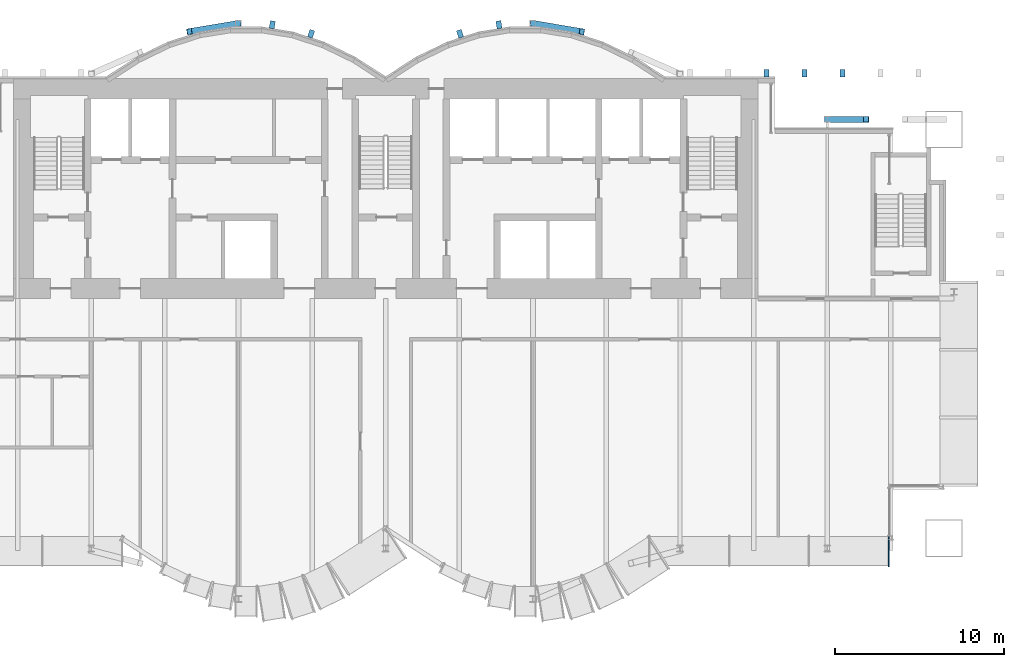
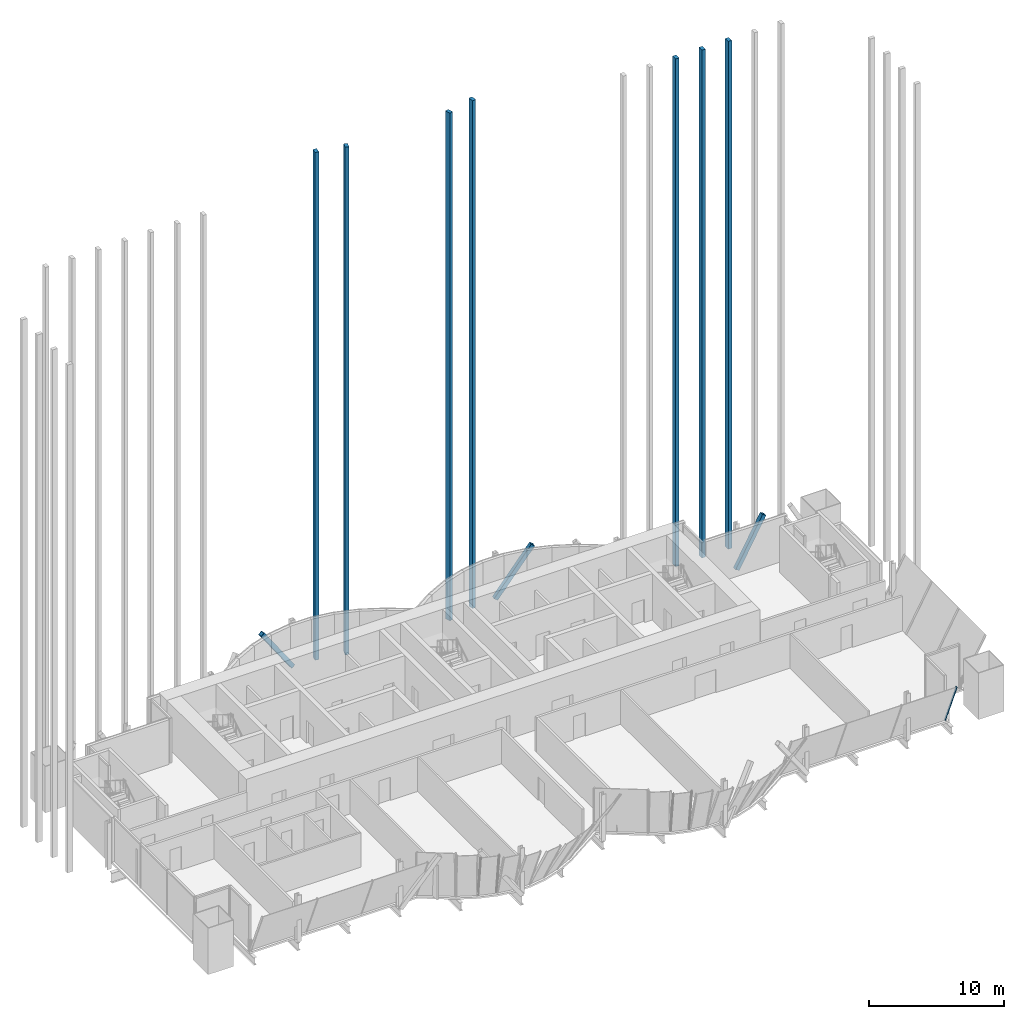
# One storey, part 18 of 28: 11 members, 6 elements without a shape of their own.
"""IFC4 building model written with IfcOpenShell, lengths in metres."""

from ifc_helpers import new_model, si_unit, direction, frame, origin, origin_2d, place, context, subcontext, project, spatial, rectangle, hollow_rectangle, extrude, material, material_profile, profile_set, type_object, element, aggregate, save


model = new_model("IFC4")

# Units and contexts
model_context = context("Model", 3, precision=1e-05, world=origin(), true_north=direction((0.0, 1.0)))
body_context = subcontext(model_context, "Body", "Model", "MODEL_VIEW")
ifc_project = project(units=[si_unit("LENGTHUNIT", "METRE"), si_unit("AREAUNIT", "SQUARE_METRE"), si_unit("VOLUMEUNIT", "CUBIC_METRE"), si_unit("PLANEANGLEUNIT", "RADIAN"), si_unit("MASSUNIT", "GRAM", prefix="KILO")], contexts=[model_context])

# Site, building, storey
site_placement = place(None, origin())
site = spatial("IfcSite", under=ifc_project, at=site_placement, CompositionType="ELEMENT")
building_placement = place(site_placement, origin())
building = spatial("IfcBuilding", under=site, at=building_placement, Name="Bicima Exchange Tower", CompositionType="ELEMENT")
storey_placement = place(building_placement, frame((0.0, 0.0, 241.39990234375)))
storey = spatial("IfcBuildingStorey", under=building, at=storey_placement, Name="L54", CompositionType="ELEMENT", Elevation=241.39990234375)

# Curtain wall, member
ifc_material_1 = material(Name="Anodised bronze aluminium", Category="aluminium")
curtain_wall_type_1 = type_object("IfcCurtainWallType", Name="Front glass wall", PredefinedType="NOTDEFINED", material=ifc_material_1)
curtain_wall_1_placement = place(storey_placement, origin())
curtain_wall_1 = element("IfcCurtainWall", 1, at=curtain_wall_1_placement, inside=storey, type_object=curtain_wall_type_1, Name="Canted glass wall L54 54.1", PredefinedType="NOTDEFINED")
ifc_material_profile_1 = material_profile(ifc_material_1, rectangle(XDim=0.159912109375, YDim=0.06005859375, at=origin_2d()))
ifc_profile_set_1 = profile_set([ifc_material_profile_1], Name="Anodised bronze aluminium")
member_type_1 = type_object("IfcMemberType", Name="Front glass wall mullion 60 x 160", PredefinedType="MULLION", material=ifc_profile_set_1)
member_1_placement = place(storey_placement, frame((29.739990234375, -27.05810546875, 0.0), z_axis=(0.0, -0.392533741736, 0.919737604754), x_axis=(0.0, 0.919737604754, 0.392533741736)))
member_1 = element("IfcMember", 2, at=member_1_placement, type_object=member_type_1, Name="Canted glass mullion 4", PredefinedType="MULLION", context=body_context, shape_type="SweptSolid", body=[
    extrude(rectangle(XDim=0.159912109375, YDim=0.06005859375, at=origin_2d()), origin(), (0.0, 0.0, 1.0), 4.403564453125),
])
aggregate(curtain_wall_1, [member_1])

# Members
ifc_material_2 = material(Name="Steel ASTM A572 Gr 50", Category="steel")
ifc_material_profile_2 = material_profile(ifc_material_2, hollow_rectangle(XDim=0.355712890625, YDim=0.355712890625, WallThickness=0.0146484375, at=origin_2d()))
ifc_profile_set_2 = profile_set([ifc_material_profile_2], Name="Steel ASTM A572 Gr 50")
member_type_2 = type_object("IfcMemberType", Name="Mega brace HSS14x14x5/8", PredefinedType="BRACE", material=ifc_profile_set_2)
for number, where, z_axis, x_axis, name in (
    (3, (-8.699951171875, 3.26904296875, 0.0), (-0.565635655676, -0.094756709723, 0.819193182949), (0.165220206918, -0.9862567025, 0.0), "Mega brace rexo"),
    (4, (8.699951171875, 3.26904296875, 0.0), (0.565635655676, -0.094756709723, 0.819193182949), (0.165220206918, 0.9862567025, 0.0), "Mega brace rexo"),
):
    element("IfcMember", number, at=place(storey_placement, frame(where, z_axis=z_axis, x_axis=x_axis)), inside=storey, type_object=member_type_2, Name=name, PredefinedType="BRACE", context=body_context, shape_type="SweptSolid", body=[
        extrude(hollow_rectangle(XDim=0.355712890625, YDim=0.355712890625, WallThickness=0.0146484375, at=origin_2d()), origin(), (0.0, 0.0, 1.0), 5.127197265625),
    ])
member_2_placement = place(storey_placement, frame((26.10009765625, -2.39990234375, 0.0), z_axis=(0.480266062029, 0.0, 0.877122858933), x_axis=(0.0, 1.0, 0.0)))
element("IfcMember", 5, at=member_2_placement, inside=storey, type_object=member_type_2, Name="Mega brace rear", PredefinedType="BRACE", context=body_context, shape_type="SweptSolid", body=[
    extrude(hollow_rectangle(XDim=0.355712890625, YDim=0.355712890625, WallThickness=0.0146484375, at=origin_2d()), origin(), (0.0, 0.0, 1.0), 4.78857421875),
])

# Curtain wall, member
curtain_wall_type_2 = type_object("IfcCurtainWallType", Name="Rear blade screen", PredefinedType="NOTDEFINED", material=ifc_material_1)
curtain_wall_2_placement = place(storey_placement, origin())
curtain_wall_2 = element("IfcCurtainWall", 6, at=curtain_wall_2_placement, inside=storey, type_object=curtain_wall_type_2, Name="Rear blade screen L54-L64 bay", PredefinedType="NOTDEFINED")
ifc_material_profile_3 = material_profile(ifc_material_1, rectangle(XDim=0.449951171875, YDim=0.300048828125, at=origin_2d()))
ifc_profile_set_3 = profile_set([ifc_material_profile_3], Name="Anodised bronze aluminium")
member_type_3 = type_object("IfcMemberType", Name="Rear blade fin 450 x 300", PredefinedType="USERDEFINED", material=ifc_profile_set_3)
member_3_placement = place(storey_placement, frame((-6.697998046875, 3.189697265625, 0.0), z_axis=(0.0, 0.0, 1.0), x_axis=(0.159548663212, 0.987190064814, 0.0)))
member_3 = element("IfcMember", 7, at=member_3_placement, type_object=member_type_3, Name="Rear blade fin L54-L64 9", ObjectType="FIN", PredefinedType="USERDEFINED", context=body_context, shape_type="SweptSolid", body=[
    extrude(rectangle(XDim=0.449951171875, YDim=0.300048828125, at=origin_2d()), origin(), (0.0, 0.0, 1.0), 46.0),
])
aggregate(curtain_wall_2, [member_3])

curtain_wall_3_placement = place(storey_placement, origin())
curtain_wall_3 = element("IfcCurtainWall", 8, at=curtain_wall_3_placement, inside=storey, type_object=curtain_wall_type_2, Name="Rear blade screen L54-L64 bay", PredefinedType="NOTDEFINED")
member_4_placement = place(storey_placement, frame((-4.39990234375, 2.652587890625, 0.0), z_axis=(0.0, 0.0, 1.0), x_axis=(0.307567537632, 0.951526252814, 0.0)))
member_4 = element("IfcMember", 9, at=member_4_placement, type_object=member_type_3, Name="Rear blade fin L54-L64 10", ObjectType="FIN", PredefinedType="USERDEFINED", context=body_context, shape_type="SweptSolid", body=[
    extrude(rectangle(XDim=0.449951171875, YDim=0.300048828125, at=origin_2d()), origin(), (0.0, 0.0, 1.0), 46.0),
])
aggregate(curtain_wall_3, [member_4])

curtain_wall_4_placement = place(storey_placement, origin())
curtain_wall_4 = element("IfcCurtainWall", 10, at=curtain_wall_4_placement, inside=storey, type_object=curtain_wall_type_2, Name="Rear blade screen L54-L64 bay", PredefinedType="NOTDEFINED")
member_5_placement = place(storey_placement, frame((4.39990234375, 2.652587890625, 0.0), z_axis=(0.0, 0.0, 1.0), x_axis=(-0.307567537632, 0.951526252814, 0.0)))
member_5 = element("IfcMember", 11, at=member_5_placement, type_object=member_type_3, Name="Rear blade fin L54-L64 11", ObjectType="FIN", PredefinedType="USERDEFINED", context=body_context, shape_type="SweptSolid", body=[
    extrude(rectangle(XDim=0.449951171875, YDim=0.300048828125, at=origin_2d()), origin(), (0.0, 0.0, 1.0), 46.0),
])
aggregate(curtain_wall_4, [member_5])

curtain_wall_5_placement = place(storey_placement, origin())
curtain_wall_5 = element("IfcCurtainWall", 12, at=curtain_wall_5_placement, inside=storey, type_object=curtain_wall_type_2, Name="Rear blade screen L54-L64 bay", PredefinedType="NOTDEFINED")
member_6_placement = place(storey_placement, frame((6.697998046875, 3.189697265625, 0.0), z_axis=(0.0, 0.0, 1.0), x_axis=(-0.159548663212, 0.987190064814, 0.0)))
member_6 = element("IfcMember", 13, at=member_6_placement, type_object=member_type_3, Name="Rear blade fin L54-L64 12", ObjectType="FIN", PredefinedType="USERDEFINED", context=body_context, shape_type="SweptSolid", body=[
    extrude(rectangle(XDim=0.449951171875, YDim=0.300048828125, at=origin_2d()), origin(), (0.0, 0.0, 1.0), 46.0),
])
aggregate(curtain_wall_5, [member_6])

# Curtain wall, members
curtain_wall_6_placement = place(storey_placement, origin())
curtain_wall_6 = element("IfcCurtainWall", 14, at=curtain_wall_6_placement, inside=storey, type_object=curtain_wall_type_2, Name="Rear blade screen L54-L64 E", PredefinedType="NOTDEFINED")
member_7_placement = place(storey_placement, frame((22.5, 0.324951171875, 0.0), z_axis=(0.0, 0.0, 1.0), x_axis=(0.0, 1.0, 0.0)))
member_7 = element("IfcMember", 15, at=member_7_placement, type_object=member_type_3, Name="Rear blade fin L54-L64 15", ObjectType="FIN", PredefinedType="USERDEFINED", context=body_context, shape_type="SweptSolid", body=[
    extrude(rectangle(XDim=0.449951171875, YDim=0.300048828125, at=origin_2d()), origin(), (0.0, 0.0, 1.0), 46.0),
])
member_8_placement = place(storey_placement, frame((24.75, 0.324951171875, 0.0), z_axis=(0.0, 0.0, 1.0), x_axis=(0.0, 1.0, 0.0)))
member_8 = element("IfcMember", 16, at=member_8_placement, type_object=member_type_3, Name="Rear blade fin L54-L64 16", ObjectType="FIN", PredefinedType="USERDEFINED", context=body_context, shape_type="SweptSolid", body=[
    extrude(rectangle(XDim=0.449951171875, YDim=0.300048828125, at=origin_2d()), origin(), (0.0, 0.0, 1.0), 46.0),
])
member_9_placement = place(storey_placement, frame((27.0, 0.324951171875, 0.0), z_axis=(0.0, 0.0, 1.0), x_axis=(0.0, 1.0, 0.0)))
member_9 = element("IfcMember", 17, at=member_9_placement, type_object=member_type_3, Name="Rear blade fin L54-L64 17", ObjectType="FIN", PredefinedType="USERDEFINED", context=body_context, shape_type="SweptSolid", body=[
    extrude(rectangle(XDim=0.449951171875, YDim=0.300048828125, at=origin_2d()), origin(), (0.0, 0.0, 1.0), 46.0),
])
aggregate(curtain_wall_6, [member_7, member_8, member_9])

save(model, "model.ifc")
